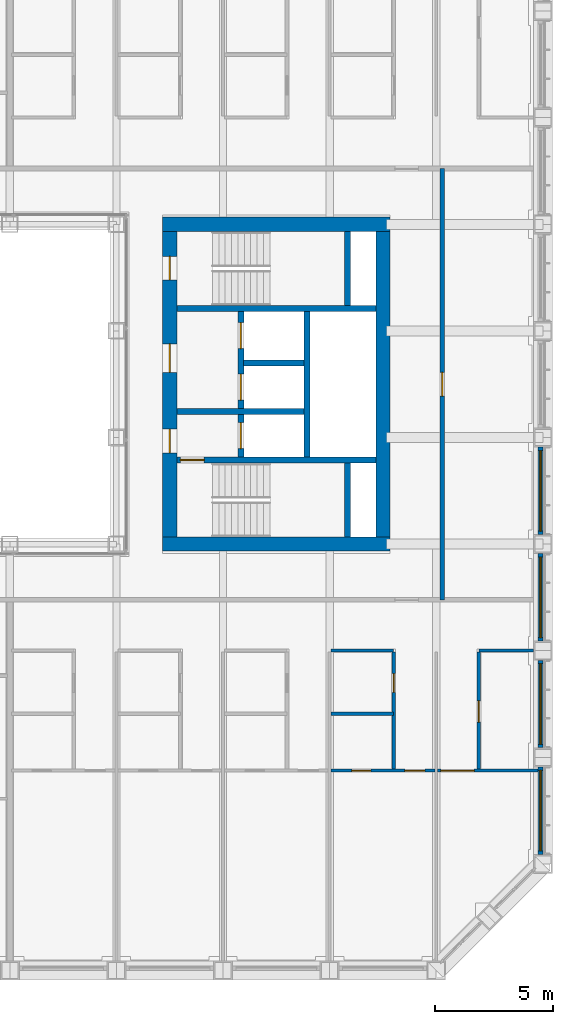
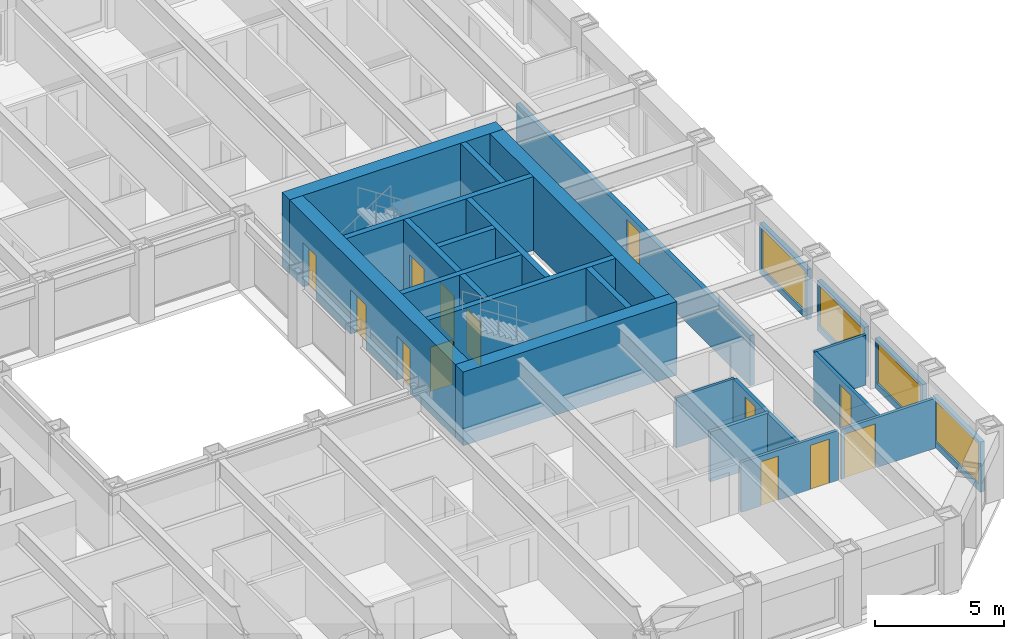
# One storey, part 12 of 21: 24 walls, 13 doors, 4 windows, 17 openings.
"""IFC4 building model written with IfcOpenShell, lengths in metres."""

from ifc_helpers import new_model, si_unit, direction, frame, frame_2d, origin, place, context, subcontext, project, spatial, rectangle, extrude, material, layer, layer_set, type_object, element, fill, save


model = new_model("IFC4")

# Units and contexts
model_context = context("Model", 3, precision=1e-05, world=origin(), true_north=direction((0.0, 1.0)))
body_context = subcontext(model_context, "Body", "Model", "MODEL_VIEW")
ifc_project = project(units=[si_unit("LENGTHUNIT", "METRE"), si_unit("AREAUNIT", "SQUARE_METRE"), si_unit("VOLUMEUNIT", "CUBIC_METRE"), si_unit("PLANEANGLEUNIT", "RADIAN"), si_unit("MASSUNIT", "GRAM", prefix="KILO")], contexts=[model_context])

# Site, building, storey
site_placement = place(None, origin())
site = spatial("IfcSite", under=ifc_project, at=site_placement, CompositionType="ELEMENT")
building_placement = place(site_placement, origin())
building = spatial("IfcBuilding", under=site, at=building_placement, Name="Msasa Ring Tower", CompositionType="ELEMENT")
storey_placement = place(building_placement, frame((0.0, 0.0, 100.0)))
storey = spatial("IfcBuildingStorey", under=building, at=storey_placement, Name="L26", CompositionType="ELEMENT", Elevation=100.0)

# Walls
ifc_material_1 = material(Name="Concrete C60/75", Category="concrete")
ifc_layer_1 = layer(ifc_material_1, 0.60009765625)
ifc_layer_set_1 = layer_set([ifc_layer_1], Name="CW1 CORE WALL 600")
wall_type_1 = type_object("IfcWallType", Name="CW1 CORE WALL 600", PredefinedType="SHEAR", material=ifc_layer_set_1)
for number, where, z_axis, x_axis, name in (
    (1, (8.699951171875, -6.75, 0.0), (0.0, 0.0, 1.0), (1.0, 0.0, 0.0), "E core wall S L26"),
    (2, (8.699951171875, 6.75, 0.0), (0.0, 0.0, 1.0), (1.0, 0.0, 0.0), "E core wall N L26"),
):
    element("IfcWall", number, at=place(storey_placement, frame(where, z_axis=z_axis, x_axis=x_axis)), inside=storey, type_object=wall_type_1, Name=name, PredefinedType="SHEAR", context=body_context, shape_type="SweptSolid", body=[
        extrude(rectangle(XDim=9.60009765625, YDim=0.60009765625, at=frame_2d((4.800048828125, 0.0))), origin(), (0.0, 0.0, 1.0), 3.5),
    ])

# Wall, openings, doors
wall_1_placement = place(storey_placement, frame((9.0, -6.449951171875, 0.0), z_axis=(0.0, 0.0, 1.0), x_axis=(0.0, 1.0, 0.0)))
wall_1 = element("IfcWall", 3, at=wall_1_placement, inside=storey, type_object=wall_type_1, Name="E core wall W L26", PredefinedType="SHEAR", context=body_context, shape_type="SweptSolid", body=[
    extrude(rectangle(XDim=12.89990234375, YDim=0.60009765625, at=frame_2d((6.449951171875, 0.0))), origin(), (0.0, 0.0, 1.0), 3.5),
])
opening_1_placement = place(wall_1_placement, frame((3.550048828125, 0.0, 0.0)))
opening_1 = element("IfcOpeningElement", 4, at=opening_1_placement, cuts=wall_1, Name="Opening RH-045", PredefinedType="OPENING", context=body_context, shape_type="SweptSolid", body=[
    extrude(rectangle(XDim=1.0, YDim=2.10009765625, at=frame_2d((0.5, 1.050048828125))), frame((0.0, 0.31005859375, 0.0), z_axis=(0.0, -1.0, 0.0), x_axis=(1.0, 0.0, 0.0)), (0.0, 0.0, 1.0), 0.6201171875),
])
opening_2_placement = place(wall_1_placement, frame((6.949951171875, 0.0, 0.0)))
opening_2 = element("IfcOpeningElement", 5, at=opening_2_placement, cuts=wall_1, Name="Opening RH-040", PredefinedType="OPENING", context=body_context, shape_type="SweptSolid", body=[
    extrude(rectangle(XDim=1.199951171875, YDim=2.10009765625, at=frame_2d((0.60009765625, 1.050048828125))), frame((0.0, 0.31005859375, 0.0), z_axis=(0.0, -1.0, 0.0), x_axis=(1.0, 0.0, 0.0)), (0.0, 0.0, 1.0), 0.6201171875),
])
opening_3_placement = place(wall_1_placement, frame((10.85009765625, 0.0, 0.0)))
opening_3 = element("IfcOpeningElement", 6, at=opening_3_placement, cuts=wall_1, Name="Opening RH-037", PredefinedType="OPENING", context=body_context, shape_type="SweptSolid", body=[
    extrude(rectangle(XDim=1.0, YDim=2.10009765625, at=frame_2d((0.5, 1.050048828125))), frame((0.0, 0.31005859375, 0.0), z_axis=(0.0, -1.0, 0.0), x_axis=(1.0, 0.0, 0.0)), (0.0, 0.0, 1.0), 0.6201171875),
])
ifc_material_2 = material(Name="Timber door leaf in a steel frame", Category="steel")
door_type_1 = type_object("IfcDoorType", Name="D4 LOBBY DOOR 1000x2100", OperationType="SINGLE_SWING_LEFT", PredefinedType="DOOR", material=ifc_material_2)
door_1_placement = place(opening_1_placement, origin())
door_1 = element("IfcDoor", 7, at=door_1_placement, inside=storey, type_object=door_type_1, Name="Door L26-EFFL", OperationType="SINGLE_SWING_LEFT", OverallHeight=2.10009765625, OverallWidth=1.0, PredefinedType="DOOR", context=body_context, shape_type="SweptSolid", body=[
    extrude(rectangle(XDim=1.0, YDim=2.10009765625, at=frame_2d((0.5, 1.050048828125))), frame((0.0, 0.02490234375, 0.0), z_axis=(0.0, -1.0, 0.0), x_axis=(1.0, 0.0, 0.0)), (0.0, 0.0, 1.0), 0.050048828125),
])
fill(opening_1, door_1)
ifc_material_3 = material(Name="Timber door leaf in a steel frame", Category="steel")
door_type_2 = type_object("IfcDoorType", Name="D5 WIDE LOBBY DOOR 1200x2100", OperationType="SINGLE_SWING_LEFT", PredefinedType="DOOR", material=ifc_material_3)
door_2_placement = place(opening_2_placement, origin())
door_2 = element("IfcDoor", 8, at=door_2_placement, inside=storey, type_object=door_type_2, Name="Door L26-ELL", OperationType="SINGLE_SWING_RIGHT", OverallHeight=2.10009765625, OverallWidth=1.199951171875, PredefinedType="DOOR", context=body_context, shape_type="SweptSolid", body=[
    extrude(rectangle(XDim=1.199951171875, YDim=2.10009765625, at=frame_2d((0.60009765625, 1.050048828125))), frame((0.0, 0.02490234375, 0.0), z_axis=(0.0, -1.0, 0.0), x_axis=(1.0, 0.0, 0.0)), (0.0, 0.0, 1.0), 0.050048828125),
])
fill(opening_2, door_2)
ifc_material_4 = material(Name="Timber door leaf in a steel frame", Category="steel")
door_type_3 = type_object("IfcDoorType", Name="D6 STAIR DOOR 1000x2100", OperationType="SINGLE_SWING_LEFT", PredefinedType="DOOR", material=ifc_material_4)
door_3_placement = place(opening_3_placement, origin())
door_3 = element("IfcDoor", 9, at=door_3_placement, inside=storey, type_object=door_type_3, Name="Door L26-ESTB", OperationType="SINGLE_SWING_RIGHT", OverallHeight=2.10009765625, OverallWidth=1.0, PredefinedType="DOOR", context=body_context, shape_type="SweptSolid", body=[
    extrude(rectangle(XDim=1.0, YDim=2.10009765625, at=frame_2d((0.5, 1.050048828125))), frame((0.0, 0.02490234375, 0.0), z_axis=(0.0, -1.0, 0.0), x_axis=(1.0, 0.0, 0.0)), (0.0, 0.0, 1.0), 0.050048828125),
])
fill(opening_3, door_3)

# Wall
wall_2_placement = place(storey_placement, frame((18.0, -6.449951171875, 0.0), z_axis=(0.0, 0.0, 1.0), x_axis=(0.0, 1.0, 0.0)))
element("IfcWall", 10, at=wall_2_placement, inside=storey, type_object=wall_type_1, Name="E core wall E L26", PredefinedType="SHEAR", context=body_context, shape_type="SweptSolid", body=[
    extrude(rectangle(XDim=12.89990234375, YDim=0.60009765625, at=frame_2d((6.449951171875, 0.0))), origin(), (0.0, 0.0, 1.0), 3.5),
])

# Wall, opening, door
ifc_material_5 = material(Name="Concrete C60/75", Category="concrete")
ifc_layer_2 = layer(ifc_material_5, 0.25)
ifc_layer_set_2 = layer_set([ifc_layer_2], Name="CW4 CORE INNER WALL 250")
wall_type_2 = type_object("IfcWallType", Name="CW4 CORE INNER WALL 250", PredefinedType="SHEAR", material=ifc_layer_set_2)
wall_3_placement = place(storey_placement, frame((9.300048828125, -3.199951171875, 0.0), z_axis=(0.0, 0.0, 1.0), x_axis=(1.0, 0.0, 0.0)))
wall_3 = element("IfcWall", 11, at=wall_3_placement, inside=storey, type_object=wall_type_2, Name="E core wall STAIRA L26", PredefinedType="SHEAR", context=body_context, shape_type="SweptSolid", body=[
    extrude(rectangle(XDim=8.39990234375, YDim=0.25, at=frame_2d((4.199951171875, 0.0))), origin(), (0.0, 0.0, 1.0), 3.5),
])
opening_4_placement = place(wall_3_placement, frame((0.14990234375, 0.0, 0.0)))
opening_4 = element("IfcOpeningElement", 12, at=opening_4_placement, cuts=wall_3, Name="Opening RH-047", PredefinedType="OPENING", context=body_context, shape_type="SweptSolid", body=[
    extrude(rectangle(XDim=1.0, YDim=2.10009765625, at=frame_2d((0.5, 1.050048828125))), frame((0.0, 0.135009765625, 0.0), z_axis=(0.0, -1.0, 0.0), x_axis=(1.0, 0.0, 0.0)), (0.0, 0.0, 1.0), 0.27001953125),
])
door_4_placement = place(opening_4_placement, origin())
door_4 = element("IfcDoor", 13, at=door_4_placement, inside=storey, type_object=door_type_3, Name="Door L26-ESTA", OperationType="SINGLE_SWING_LEFT", OverallHeight=2.10009765625, OverallWidth=1.0, PredefinedType="DOOR", context=body_context, shape_type="SweptSolid", body=[
    extrude(rectangle(XDim=1.0, YDim=2.10009765625, at=frame_2d((0.5, 1.050048828125))), frame((0.0, 0.02490234375, 0.0), z_axis=(0.0, -1.0, 0.0), x_axis=(1.0, 0.0, 0.0)), (0.0, 0.0, 1.0), 0.050048828125),
])
fill(opening_4, door_4)

# Walls
wall_4_placement = place(storey_placement, frame((9.300048828125, 3.199951171875, 0.0), z_axis=(0.0, 0.0, 1.0), x_axis=(1.0, 0.0, 0.0)))
element("IfcWall", 14, at=wall_4_placement, inside=storey, type_object=wall_type_2, Name="E core wall STAIRB L26", PredefinedType="SHEAR", context=body_context, shape_type="SweptSolid", body=[
    extrude(rectangle(XDim=8.39990234375, YDim=0.25, at=frame_2d((4.199951171875, 0.0))), origin(), (0.0, 0.0, 1.0), 3.5),
])
for number, where, z_axis, x_axis, name in (
    (15, (16.5, -6.449951171875, 0.0), (0.0, 0.0, 1.0), (0.0, 1.0, 0.0), "E core wall RISERA L26"),
    (16, (16.5, 3.324951171875, 0.0), (0.0, 0.0, 1.0), (0.0, 1.0, 0.0), "E core wall RISERB L26"),
):
    element("IfcWall", number, at=place(storey_placement, frame(where, z_axis=z_axis, x_axis=x_axis)), inside=storey, type_object=wall_type_2, Name=name, PredefinedType="SHEAR", context=body_context, shape_type="SweptSolid", body=[
        extrude(rectangle(XDim=3.125, YDim=0.25, at=frame_2d((1.5625, 0.0))), origin(), (0.0, 0.0, 1.0), 3.5),
    ])
wall_5_placement = place(storey_placement, frame((9.300048828125, -1.14990234375, 0.0), z_axis=(0.0, 0.0, 1.0), x_axis=(1.0, 0.0, 0.0)))
element("IfcWall", 17, at=wall_5_placement, inside=storey, type_object=wall_type_2, Name="E core wall FFL L26", PredefinedType="SHEAR", context=body_context, shape_type="SweptSolid", body=[
    extrude(rectangle(XDim=5.375, YDim=0.25, at=frame_2d((2.6875, 0.0))), origin(), (0.0, 0.0, 1.0), 3.5),
])

# Wall, openings, doors
wall_6_placement = place(storey_placement, frame((12.0, -3.074951171875, 0.0), z_axis=(0.0, 0.0, 1.0), x_axis=(0.0, 1.0, 0.0)))
wall_6 = element("IfcWall", 18, at=wall_6_placement, inside=storey, type_object=wall_type_2, Name="E core wall LOBBY L26", PredefinedType="SHEAR", context=body_context, shape_type="SweptSolid", body=[
    extrude(rectangle(XDim=6.14990234375, YDim=0.25, at=frame_2d((3.074951171875, 0.0))), origin(), (0.0, 0.0, 1.0), 3.5),
])
opening_5_placement = place(wall_6_placement, frame((0.35009765625, 0.0, 0.0)))
opening_5 = element("IfcOpeningElement", 19, at=opening_5_placement, cuts=wall_6, Name="Opening LD1", PredefinedType="OPENING", context=body_context, shape_type="SweptSolid", body=[
    extrude(rectangle(XDim=1.10009765625, YDim=2.10009765625, at=frame_2d((0.550048828125, 1.050048828125))), frame((0.0, 0.135009765625, 0.0), z_axis=(0.0, -1.0, 0.0), x_axis=(1.0, 0.0, 0.0)), (0.0, 0.0, 1.0), 0.27001953125),
])
opening_6_placement = place(wall_6_placement, frame((2.39990234375, 0.0, 0.0)))
opening_6 = element("IfcOpeningElement", 20, at=opening_6_placement, cuts=wall_6, Name="Opening LD1", PredefinedType="OPENING", context=body_context, shape_type="SweptSolid", body=[
    extrude(rectangle(XDim=1.10009765625, YDim=2.10009765625, at=frame_2d((0.550048828125, 1.050048828125))), frame((0.0, 0.135009765625, 0.0), z_axis=(0.0, -1.0, 0.0), x_axis=(1.0, 0.0, 0.0)), (0.0, 0.0, 1.0), 0.27001953125),
])
opening_7_placement = place(wall_6_placement, frame((4.574951171875, 0.0, 0.0)))
opening_7 = element("IfcOpeningElement", 21, at=opening_7_placement, cuts=wall_6, Name="Opening LD1", PredefinedType="OPENING", context=body_context, shape_type="SweptSolid", body=[
    extrude(rectangle(XDim=1.10009765625, YDim=2.10009765625, at=frame_2d((0.550048828125, 1.050048828125))), frame((0.0, 0.135009765625, 0.0), z_axis=(0.0, -1.0, 0.0), x_axis=(1.0, 0.0, 0.0)), (0.0, 0.0, 1.0), 0.27001953125),
])
ifc_material_6 = material(Name="Stainless steel lift landing door", Category="steel")
door_type_4 = type_object("IfcDoorType", Name="LD1 LIFT LANDING DOOR 1100x2100", OperationType="DOUBLE_DOOR_SLIDING", PredefinedType="DOOR", material=ifc_material_6)
door_5_placement = place(opening_5_placement, origin())
door_5 = element("IfcDoor", 22, at=door_5_placement, inside=storey, type_object=door_type_4, Name="Lift landing door FL-E L26", OperationType="DOUBLE_DOOR_SLIDING", OverallHeight=2.10009765625, OverallWidth=1.10009765625, PredefinedType="DOOR", context=body_context, shape_type="SweptSolid", body=[
    extrude(rectangle(XDim=1.10009765625, YDim=2.10009765625, at=frame_2d((0.550048828125, 1.050048828125))), frame((0.0, 0.02490234375, 0.0), z_axis=(0.0, -1.0, 0.0), x_axis=(1.0, 0.0, 0.0)), (0.0, 0.0, 1.0), 0.050048828125),
])
fill(opening_5, door_5)
door_6_placement = place(opening_6_placement, origin())
door_6 = element("IfcDoor", 23, at=door_6_placement, inside=storey, type_object=door_type_4, Name="Lift landing door PL-R1 L26", OperationType="DOUBLE_DOOR_SLIDING", OverallHeight=2.10009765625, OverallWidth=1.10009765625, PredefinedType="DOOR", context=body_context, shape_type="SweptSolid", body=[
    extrude(rectangle(XDim=1.10009765625, YDim=2.10009765625, at=frame_2d((0.550048828125, 1.050048828125))), frame((0.0, 0.02490234375, 0.0), z_axis=(0.0, -1.0, 0.0), x_axis=(1.0, 0.0, 0.0)), (0.0, 0.0, 1.0), 0.050048828125),
])
fill(opening_6, door_6)
door_7_placement = place(opening_7_placement, origin())
door_7 = element("IfcDoor", 24, at=door_7_placement, inside=storey, type_object=door_type_4, Name="Lift landing door PL-R2 L26", OperationType="DOUBLE_DOOR_SLIDING", OverallHeight=2.10009765625, OverallWidth=1.10009765625, PredefinedType="DOOR", context=body_context, shape_type="SweptSolid", body=[
    extrude(rectangle(XDim=1.10009765625, YDim=2.10009765625, at=frame_2d((0.550048828125, 1.050048828125))), frame((0.0, 0.02490234375, 0.0), z_axis=(0.0, -1.0, 0.0), x_axis=(1.0, 0.0, 0.0)), (0.0, 0.0, 1.0), 0.050048828125),
])
fill(opening_7, door_7)

# Walls
wall_7_placement = place(storey_placement, frame((14.800048828125, -3.074951171875, 0.0), z_axis=(0.0, 0.0, 1.0), x_axis=(0.0, 1.0, 0.0)))
element("IfcWall", 25, at=wall_7_placement, inside=storey, type_object=wall_type_2, Name="E core wall SHAFT L26", PredefinedType="SHEAR", context=body_context, shape_type="SweptSolid", body=[
    extrude(rectangle(XDim=6.14990234375, YDim=0.25, at=frame_2d((3.074951171875, 0.0))), origin(), (0.0, 0.0, 1.0), 3.5),
])
wall_8_placement = place(storey_placement, frame((12.125, 0.89990234375, 0.0), z_axis=(0.0, 0.0, 1.0), x_axis=(1.0, 0.0, 0.0)))
element("IfcWall", 26, at=wall_8_placement, inside=storey, type_object=wall_type_2, Name="E core wall LIFT1 L26", PredefinedType="SHEAR", context=body_context, shape_type="SweptSolid", body=[
    extrude(rectangle(XDim=2.550048828125, YDim=0.25, at=frame_2d((1.27490234375, 0.0))), origin(), (0.0, 0.0, 1.0), 3.5),
])

# Wall, opening, window
ifc_material_7 = material(Name="Terracotta rainscreen on blockwork", Category="masonry")
ifc_layer_3 = layer(ifc_material_7, 0.199951171875)
ifc_layer_set_3 = layer_set([ifc_layer_3], Name="FW1 TERRACOTTA-LINED INFILL BAY WALL 200")
wall_type_3 = type_object("IfcWallType", Name="FW1 TERRACOTTA-LINED INFILL BAY WALL 200", PredefinedType="SOLIDWALL", material=ifc_layer_set_3)
wall_9_placement = place(storey_placement, frame((24.64990234375, -19.844970703125, 0.0), z_axis=(0.0, 0.0, 1.0), x_axis=(0.0, 1.0, 0.0)))
wall_9 = element("IfcWall", 27, at=wall_9_placement, inside=storey, type_object=wall_type_3, Name="Infill bay wall E L26 11", PredefinedType="SOLIDWALL", context=body_context, shape_type="SweptSolid", body=[
    extrude(rectangle(XDim=3.68994140625, YDim=0.199951171875, at=frame_2d((1.844970703125, 0.0))), origin(), (0.0, 0.0, 1.0), 2.37890625),
])
opening_8_placement = place(wall_9_placement, frame((0.14501953125, 0.0, 0.300048828125)))
opening_8 = element("IfcOpeningElement", 28, at=opening_8_placement, cuts=wall_9, Name="Opening WN1", PredefinedType="OPENING", context=body_context, shape_type="SweptSolid", body=[
    extrude(rectangle(XDim=3.39990234375, YDim=1.928955078125, at=frame_2d((1.699951171875, 0.96435546875))), frame((0.0, 0.10986328125, 0.0), z_axis=(0.0, -1.0, 0.0), x_axis=(1.0, 0.0, 0.0)), (0.0, 0.0, 1.0), 0.219970703125),
])
ifc_material_8 = material(Name="Aluminium frame with clear glass", Category="aluminium")
window_type = type_object("IfcWindowType", Name="WN1 RESIDENCE WINDOW 3400x1929", PartitioningType="SINGLE_PANEL", PredefinedType="WINDOW", material=ifc_material_8)
window_1_placement = place(opening_8_placement, origin())
window_1 = element("IfcWindow", 29, at=window_1_placement, inside=storey, type_object=window_type, Name="Window E L26 11", OverallHeight=1.928955078125, OverallWidth=3.39990234375, PartitioningType="SINGLE_PANEL", PredefinedType="WINDOW", context=body_context, shape_type="SweptSolid", body=[
    extrude(rectangle(XDim=3.39990234375, YDim=1.928955078125, at=frame_2d((1.699951171875, 0.96435546875))), frame((0.0, 0.030029296875, 0.0), z_axis=(0.0, -1.0, 0.0), x_axis=(1.0, 0.0, 0.0)), (0.0, 0.0, 1.0), 0.06005859375),
])
fill(opening_8, window_1)

wall_10_placement = place(storey_placement, frame((24.64990234375, -15.344970703125, 0.0), z_axis=(0.0, 0.0, 1.0), x_axis=(0.0, 1.0, 0.0)))
wall_10 = element("IfcWall", 30, at=wall_10_placement, inside=storey, type_object=wall_type_3, Name="Infill bay wall E L26 12", PredefinedType="SOLIDWALL", context=body_context, shape_type="SweptSolid", body=[
    extrude(rectangle(XDim=3.68994140625, YDim=0.199951171875, at=frame_2d((1.844970703125, 0.0))), origin(), (0.0, 0.0, 1.0), 2.37890625),
])
opening_9_placement = place(wall_10_placement, frame((0.14501953125, 0.0, 0.300048828125)))
opening_9 = element("IfcOpeningElement", 31, at=opening_9_placement, cuts=wall_10, Name="Opening WN1", PredefinedType="OPENING", context=body_context, shape_type="SweptSolid", body=[
    extrude(rectangle(XDim=3.39990234375, YDim=1.928955078125, at=frame_2d((1.699951171875, 0.96435546875))), frame((0.0, 0.10986328125, 0.0), z_axis=(0.0, -1.0, 0.0), x_axis=(1.0, 0.0, 0.0)), (0.0, 0.0, 1.0), 0.219970703125),
])
window_2_placement = place(opening_9_placement, origin())
window_2 = element("IfcWindow", 32, at=window_2_placement, inside=storey, type_object=window_type, Name="Window E L26 12", OverallHeight=1.928955078125, OverallWidth=3.39990234375, PartitioningType="SINGLE_PANEL", PredefinedType="WINDOW", context=body_context, shape_type="SweptSolid", body=[
    extrude(rectangle(XDim=3.39990234375, YDim=1.928955078125, at=frame_2d((1.699951171875, 0.96435546875))), frame((0.0, 0.030029296875, 0.0), z_axis=(0.0, -1.0, 0.0), x_axis=(1.0, 0.0, 0.0)), (0.0, 0.0, 1.0), 0.06005859375),
])
fill(opening_9, window_2)

wall_11_placement = place(storey_placement, frame((24.64990234375, -10.844970703125, 0.0), z_axis=(0.0, 0.0, 1.0), x_axis=(0.0, 1.0, 0.0)))
wall_11 = element("IfcWall", 33, at=wall_11_placement, inside=storey, type_object=wall_type_3, Name="Infill bay wall E L26 13", PredefinedType="SOLIDWALL", context=body_context, shape_type="SweptSolid", body=[
    extrude(rectangle(XDim=3.68994140625, YDim=0.199951171875, at=frame_2d((1.844970703125, 0.0))), origin(), (0.0, 0.0, 1.0), 2.37890625),
])
opening_10_placement = place(wall_11_placement, frame((0.14501953125, 0.0, 0.300048828125)))
opening_10 = element("IfcOpeningElement", 34, at=opening_10_placement, cuts=wall_11, Name="Opening WN1", PredefinedType="OPENING", context=body_context, shape_type="SweptSolid", body=[
    extrude(rectangle(XDim=3.39990234375, YDim=1.928955078125, at=frame_2d((1.699951171875, 0.96435546875))), frame((0.0, 0.10986328125, 0.0), z_axis=(0.0, -1.0, 0.0), x_axis=(1.0, 0.0, 0.0)), (0.0, 0.0, 1.0), 0.219970703125),
])
window_3_placement = place(opening_10_placement, origin())
window_3 = element("IfcWindow", 35, at=window_3_placement, inside=storey, type_object=window_type, Name="Window E L26 13", OverallHeight=1.928955078125, OverallWidth=3.39990234375, PartitioningType="SINGLE_PANEL", PredefinedType="WINDOW", context=body_context, shape_type="SweptSolid", body=[
    extrude(rectangle(XDim=3.39990234375, YDim=1.928955078125, at=frame_2d((1.699951171875, 0.96435546875))), frame((0.0, 0.030029296875, 0.0), z_axis=(0.0, -1.0, 0.0), x_axis=(1.0, 0.0, 0.0)), (0.0, 0.0, 1.0), 0.06005859375),
])
fill(opening_10, window_3)

wall_12_placement = place(storey_placement, frame((24.64990234375, -6.344970703125, 0.0), z_axis=(0.0, 0.0, 1.0), x_axis=(0.0, 1.0, 0.0)))
wall_12 = element("IfcWall", 36, at=wall_12_placement, inside=storey, type_object=wall_type_3, Name="Infill bay wall E L26 14", PredefinedType="SOLIDWALL", context=body_context, shape_type="SweptSolid", body=[
    extrude(rectangle(XDim=3.68994140625, YDim=0.199951171875, at=frame_2d((1.844970703125, 0.0))), origin(), (0.0, 0.0, 1.0), 2.37890625),
])
opening_11_placement = place(wall_12_placement, frame((0.14501953125, 0.0, 0.300048828125)))
opening_11 = element("IfcOpeningElement", 37, at=opening_11_placement, cuts=wall_12, Name="Opening WN1", PredefinedType="OPENING", context=body_context, shape_type="SweptSolid", body=[
    extrude(rectangle(XDim=3.39990234375, YDim=1.928955078125, at=frame_2d((1.699951171875, 0.96435546875))), frame((0.0, 0.10986328125, 0.0), z_axis=(0.0, -1.0, 0.0), x_axis=(1.0, 0.0, 0.0)), (0.0, 0.0, 1.0), 0.219970703125),
])
window_4_placement = place(opening_11_placement, origin())
window_4 = element("IfcWindow", 38, at=window_4_placement, inside=storey, type_object=window_type, Name="Window E L26 14", OverallHeight=1.928955078125, OverallWidth=3.39990234375, PartitioningType="SINGLE_PANEL", PredefinedType="WINDOW", context=body_context, shape_type="SweptSolid", body=[
    extrude(rectangle(XDim=3.39990234375, YDim=1.928955078125, at=frame_2d((1.699951171875, 0.96435546875))), frame((0.0, 0.030029296875, 0.0), z_axis=(0.0, -1.0, 0.0), x_axis=(1.0, 0.0, 0.0)), (0.0, 0.0, 1.0), 0.06005859375),
])
fill(opening_11, window_4)

# Wall, opening, door
ifc_material_9 = material(Name="Concrete blockwork", Category="masonry")
ifc_layer_4 = layer(ifc_material_9, 0.199951171875)
ifc_layer_set_4 = layer_set([ifc_layer_4], Name="PT1 CORRIDOR WALL 200")
wall_type_4 = type_object("IfcWallType", Name="PT1 CORRIDOR WALL 200", PredefinedType="PARTITIONING", material=ifc_layer_set_4)
wall_13_placement = place(storey_placement, frame((20.5, -9.10009765625, 0.0), z_axis=(0.0, 0.0, 1.0), x_axis=(0.0, 1.0, 0.0)))
wall_13 = element("IfcWall", 39, at=wall_13_placement, inside=storey, type_object=wall_type_4, Name="Corridor wall L26-STRE", PredefinedType="PARTITIONING", context=body_context, shape_type="SweptSolid", body=[
    extrude(rectangle(XDim=18.2001953125, YDim=0.199951171875, at=frame_2d((9.10009765625, 0.0))), origin(), (0.0, 0.0, 1.0), 2.373291015625),
])
opening_12_placement = place(wall_13_placement, frame((8.60009765625, 0.0, 0.0)))
opening_12 = element("IfcOpeningElement", 40, at=opening_12_placement, cuts=wall_13, Name="Opening RH-042", PredefinedType="OPENING", context=body_context, shape_type="SweptSolid", body=[
    extrude(rectangle(XDim=1.0, YDim=2.10009765625, at=frame_2d((0.5, 1.050048828125))), frame((0.0, 0.10986328125, 0.0), z_axis=(0.0, -1.0, 0.0), x_axis=(1.0, 0.0, 0.0)), (0.0, 0.0, 1.0), 0.219970703125),
])
ifc_material_10 = material(Name="Timber door leaf in a steel frame", Category="steel")
door_type_5 = type_object("IfcDoorType", Name="D10 STORE DOOR 1000x2100", OperationType="SINGLE_SWING_LEFT", PredefinedType="DOOR", material=ifc_material_10)
door_8_placement = place(opening_12_placement, origin())
door_8 = element("IfcDoor", 41, at=door_8_placement, inside=storey, type_object=door_type_5, Name="Door L26-RSE", OperationType="SINGLE_SWING_LEFT", OverallHeight=2.10009765625, OverallWidth=1.0, PredefinedType="DOOR", context=body_context, shape_type="SweptSolid", body=[
    extrude(rectangle(XDim=1.0, YDim=2.10009765625, at=frame_2d((0.5, 1.050048828125))), frame((0.0, 0.02490234375, 0.0), z_axis=(0.0, -1.0, 0.0), x_axis=(1.0, 0.0, 0.0)), (0.0, 0.0, 1.0), 0.050048828125),
])
fill(opening_12, door_8)

ifc_material_11 = material(Name="Moisture-resistant board on steel studs with a concealed cistern and pipe void, tiled", Category="steel")
ifc_layer_5 = layer(ifc_material_11, 0.14990234375)
ifc_layer_set_5 = layer_set([ifc_layer_5], Name="PT4 BATHROOM WET WALL 150")
wall_type_5 = type_object("IfcWallType", Name="PT4 BATHROOM WET WALL 150", PredefinedType="PARTITIONING", material=ifc_layer_set_5)
wall_14_placement = place(storey_placement, frame((22.050048828125, -16.3125, 0.0), z_axis=(0.0, 0.0, 1.0), x_axis=(0.0, 1.0, 0.0)))
wall_14 = element("IfcWall", 42, at=wall_14_placement, inside=storey, type_object=wall_type_5, Name="Partition L26-US02SX0", PredefinedType="PARTITIONING", context=body_context, shape_type="SweptSolid", body=[
    extrude(rectangle(XDim=5.0, YDim=0.14990234375, at=frame_2d((2.5, 0.0))), origin(), (0.0, 0.0, 1.0), 2.373291015625),
])
opening_13_placement = place(wall_14_placement, frame((2.050048828125, 0.0, 0.0)))
opening_13 = element("IfcOpeningElement", 43, at=opening_13_placement, cuts=wall_14, Name="Opening RH-062", PredefinedType="OPENING", context=body_context, shape_type="SweptSolid", body=[
    extrude(rectangle(XDim=0.89990234375, YDim=2.10009765625, at=frame_2d((0.449951171875, 1.050048828125))), frame((0.0, 0.0849609375, 0.0), z_axis=(0.0, -1.0, 0.0), x_axis=(1.0, 0.0, 0.0)), (0.0, 0.0, 1.0), 0.169921875),
])
ifc_material_12 = material(Name="Timber door leaf in a steel frame", Category="steel")
door_type_6 = type_object("IfcDoorType", Name="D22 INTERNAL HALL DOOR 900x2100", OperationType="SINGLE_SWING_LEFT", PredefinedType="DOOR", material=ifc_material_12)
door_9_placement = place(opening_13_placement, origin())
door_9 = element("IfcDoor", 44, at=door_9_placement, inside=storey, type_object=door_type_6, Name="Door L26-US02K", OperationType="SINGLE_SWING_LEFT", OverallHeight=2.10009765625, OverallWidth=0.89990234375, PredefinedType="DOOR", context=body_context, shape_type="SweptSolid", body=[
    extrude(rectangle(XDim=0.89990234375, YDim=2.10009765625, at=frame_2d((0.449951171875, 1.050048828125))), frame((0.0, 0.02490234375, 0.0), z_axis=(0.0, -1.0, 0.0), x_axis=(1.0, 0.0, 0.0)), (0.0, 0.0, 1.0), 0.050048828125),
])
fill(opening_13, door_9)

wall_15_placement = place(storey_placement, frame((18.449951171875, -16.3125, 0.0), z_axis=(0.0, 0.0, 1.0), x_axis=(0.0, 1.0, 0.0)))
wall_15 = element("IfcWall", 45, at=wall_15_placement, inside=storey, type_object=wall_type_5, Name="Partition L26-US02SX1", PredefinedType="PARTITIONING", context=body_context, shape_type="SweptSolid", body=[
    extrude(rectangle(XDim=5.0, YDim=0.14990234375, at=frame_2d((2.5, 0.0))), origin(), (0.0, 0.0, 1.0), 2.373291015625),
])
opening_14_placement = place(wall_15_placement, frame((3.300048828125, 0.0, 0.0)))
opening_14 = element("IfcOpeningElement", 46, at=opening_14_placement, cuts=wall_15, Name="Opening RH-061", PredefinedType="OPENING", context=body_context, shape_type="SweptSolid", body=[
    extrude(rectangle(XDim=0.800048828125, YDim=2.10009765625, at=frame_2d((0.39990234375, 1.050048828125))), frame((0.0, 0.0849609375, 0.0), z_axis=(0.0, -1.0, 0.0), x_axis=(1.0, 0.0, 0.0)), (0.0, 0.0, 1.0), 0.169921875),
])
ifc_material_13 = material(Name="Timber door leaf in a steel frame", Category="steel")
door_type_7 = type_object("IfcDoorType", Name="D21 POCKET SLIDING BATHROOM DOOR 800x2100", OperationType="SINGLE_SWING_LEFT", PredefinedType="DOOR", material=ifc_material_13)
door_10_placement = place(opening_14_placement, origin())
door_10 = element("IfcDoor", 47, at=door_10_placement, inside=storey, type_object=door_type_7, Name="Door L26-US02B1", OperationType="SINGLE_SWING_RIGHT", OverallHeight=2.10009765625, OverallWidth=0.800048828125, PredefinedType="DOOR", context=body_context, shape_type="SweptSolid", body=[
    extrude(rectangle(XDim=0.800048828125, YDim=2.10009765625, at=frame_2d((0.39990234375, 1.050048828125))), frame((0.0, 0.02490234375, 0.0), z_axis=(0.0, -1.0, 0.0), x_axis=(1.0, 0.0, 0.0)), (0.0, 0.0, 1.0), 0.050048828125),
])
fill(opening_14, door_10)

# Walls
wall_16_placement = place(storey_placement, frame((15.8125, -13.91259765625, 0.0), z_axis=(0.0, 0.0, 1.0), x_axis=(1.0, 0.0, 0.0)))
element("IfcWall", 48, at=wall_16_placement, inside=storey, type_object=wall_type_5, Name="Partition L26-US02SB1", PredefinedType="PARTITIONING", context=body_context, shape_type="SweptSolid", body=[
    extrude(rectangle(XDim=2.637451171875, YDim=0.14990234375, at=frame_2d((1.31884765625, 0.0))), origin(), (0.0, 0.0, 1.0), 2.373291015625),
])
ifc_material_14 = material(Name="Two layers of acoustic board each face on steel studs, mineral wool", Category="steel")
ifc_layer_6 = layer(ifc_material_14, 0.125)
ifc_layer_set_6 = layer_set([ifc_layer_6], Name="PT6 ACOUSTIC DOUBLE-BOARD PARTITION 125")
wall_type_6 = type_object("IfcWallType", Name="PT6 ACOUSTIC DOUBLE-BOARD PARTITION 125", PredefinedType="PARTITIONING", material=ifc_layer_set_6)
wall_17_placement = place(storey_placement, frame((22.050048828125, -11.25, 0.0), z_axis=(0.0, 0.0, 1.0), x_axis=(1.0, 0.0, 0.0)))
element("IfcWall", 49, at=wall_17_placement, inside=storey, type_object=wall_type_6, Name="Partition L26-US02HY0", PredefinedType="PARTITIONING", context=body_context, shape_type="SweptSolid", body=[
    extrude(rectangle(XDim=2.300048828125, YDim=0.125, at=frame_2d((1.14990234375, 0.0))), origin(), (0.0, 0.0, 1.0), 2.373291015625),
])

# Wall, opening, door
wall_18_placement = place(storey_placement, frame((20.3125, -16.3125, 0.0), z_axis=(0.0, 0.0, 1.0), x_axis=(1.0, 0.0, 0.0)))
wall_18 = element("IfcWall", 50, at=wall_18_placement, inside=storey, type_object=wall_type_6, Name="Partition L26-US02SY0", PredefinedType="PARTITIONING", context=body_context, shape_type="SweptSolid", body=[
    extrude(rectangle(XDim=4.237548828125, YDim=0.125, at=frame_2d((2.11865234375, 0.0))), origin(), (0.0, 0.0, 1.0), 2.373291015625),
])
opening_15_placement = place(wall_18_placement, frame((0.137451171875, 0.0, 0.0)))
opening_15 = element("IfcOpeningElement", 51, at=opening_15_placement, cuts=wall_18, Name="Opening RH-072", PredefinedType="OPENING", context=body_context, shape_type="SweptSolid", body=[
    extrude(rectangle(XDim=1.39990234375, YDim=2.10009765625, at=frame_2d((0.699951171875, 1.050048828125))), frame((0.0, 0.072509765625, 0.0), z_axis=(0.0, -1.0, 0.0), x_axis=(1.0, 0.0, 0.0)), (0.0, 0.0, 1.0), 0.14501953125),
])
ifc_material_15 = material(Name="Timber door leaf in a steel frame", Category="steel")
door_type_8 = type_object("IfcDoorType", Name="D15 LIVING ROOM PAIR OF GLAZED DOORS 1400x2100", OperationType="SINGLE_SWING_LEFT", PredefinedType="DOOR", material=ifc_material_15)
door_11_placement = place(opening_15_placement, origin())
door_11 = element("IfcDoor", 52, at=door_11_placement, inside=storey, type_object=door_type_8, Name="Door L26-US02L", OperationType="SINGLE_SWING_LEFT", OverallHeight=2.10009765625, OverallWidth=1.39990234375, PredefinedType="DOOR", context=body_context, shape_type="SweptSolid", body=[
    extrude(rectangle(XDim=1.39990234375, YDim=2.10009765625, at=frame_2d((0.699951171875, 1.050048828125))), frame((0.0, 0.02490234375, 0.0), z_axis=(0.0, -1.0, 0.0), x_axis=(1.0, 0.0, 0.0)), (0.0, 0.0, 1.0), 0.050048828125),
])
fill(opening_15, door_11)

# Wall
wall_19_placement = place(storey_placement, frame((15.8173828125, -11.25, 0.0), z_axis=(0.0, 0.0, 1.0), x_axis=(1.0, 0.0, 0.0)))
element("IfcWall", 53, at=wall_19_placement, inside=storey, type_object=wall_type_6, Name="Partition L26-US02HY1", PredefinedType="PARTITIONING", context=body_context, shape_type="SweptSolid", body=[
    extrude(rectangle(XDim=2.632568359375, YDim=0.125, at=frame_2d((1.31640625, 0.0))), origin(), (0.0, 0.0, 1.0), 2.373291015625),
])

# Wall, openings, doors
wall_20_placement = place(storey_placement, frame((15.8125, -16.3125, 0.0), z_axis=(0.0, 0.0, 1.0), x_axis=(1.0, 0.0, 0.0)))
wall_20 = element("IfcWall", 54, at=wall_20_placement, inside=storey, type_object=wall_type_6, Name="Partition L26-US02SY1", PredefinedType="PARTITIONING", context=body_context, shape_type="SweptSolid", body=[
    extrude(rectangle(XDim=4.375, YDim=0.125, at=frame_2d((2.1875, 0.0))), origin(), (0.0, 0.0, 1.0), 2.373291015625),
])
opening_16_placement = place(wall_20_placement, frame((3.112548828125, 0.0, 0.0)))
opening_16 = element("IfcOpeningElement", 55, at=opening_16_placement, cuts=wall_20, Name="Opening RH-071", PredefinedType="OPENING", context=body_context, shape_type="SweptSolid", body=[
    extrude(rectangle(XDim=0.85009765625, YDim=2.10009765625, at=frame_2d((0.425048828125, 1.050048828125))), frame((0.0, 0.072509765625, 0.0), z_axis=(0.0, -1.0, 0.0), x_axis=(1.0, 0.0, 0.0)), (0.0, 0.0, 1.0), 0.14501953125),
])
opening_17_placement = place(wall_20_placement, frame((0.88134765625, 0.0, 0.0)))
opening_17 = element("IfcOpeningElement", 56, at=opening_17_placement, cuts=wall_20, Name="Opening RH-070", PredefinedType="OPENING", context=body_context, shape_type="SweptSolid", body=[
    extrude(rectangle(XDim=0.800048828125, YDim=2.10009765625, at=frame_2d((0.39990234375, 1.050048828125))), frame((0.0, 0.072509765625, 0.0), z_axis=(0.0, -1.0, 0.0), x_axis=(1.0, 0.0, 0.0)), (0.0, 0.0, 1.0), 0.14501953125),
])
ifc_material_16 = material(Name="Timber door leaf in a steel frame", Category="steel")
door_type_9 = type_object("IfcDoorType", Name="D14 BEDROOM DOOR 850x2100", OperationType="SINGLE_SWING_LEFT", PredefinedType="DOOR", material=ifc_material_16)
door_12_placement = place(opening_16_placement, origin())
door_12 = element("IfcDoor", 57, at=door_12_placement, inside=storey, type_object=door_type_9, Name="Door L26-US02R1", OperationType="SINGLE_SWING_RIGHT", OverallHeight=2.10009765625, OverallWidth=0.85009765625, PredefinedType="DOOR", context=body_context, shape_type="SweptSolid", body=[
    extrude(rectangle(XDim=0.85009765625, YDim=2.10009765625, at=frame_2d((0.425048828125, 1.050048828125))), frame((0.0, 0.02490234375, 0.0), z_axis=(0.0, -1.0, 0.0), x_axis=(1.0, 0.0, 0.0)), (0.0, 0.0, 1.0), 0.050048828125),
])
fill(opening_16, door_12)
ifc_material_17 = material(Name="Timber door leaf in a steel frame", Category="steel")
door_type_10 = type_object("IfcDoorType", Name="D60 DRESSING ROOM DOOR 800x2100", OperationType="SINGLE_SWING_LEFT", PredefinedType="DOOR", material=ifc_material_17)
door_13_placement = place(opening_17_placement, origin())
door_13 = element("IfcDoor", 58, at=door_13_placement, inside=storey, type_object=door_type_10, Name="Door L26-US02W1", OperationType="SINGLE_SWING_LEFT", OverallHeight=2.10009765625, OverallWidth=0.800048828125, PredefinedType="DOOR", context=body_context, shape_type="SweptSolid", body=[
    extrude(rectangle(XDim=0.800048828125, YDim=2.10009765625, at=frame_2d((0.39990234375, 1.050048828125))), frame((0.0, 0.02490234375, 0.0), z_axis=(0.0, -1.0, 0.0), x_axis=(1.0, 0.0, 0.0)), (0.0, 0.0, 1.0), 0.050048828125),
])
fill(opening_17, door_13)

save(model, "model.ifc")
